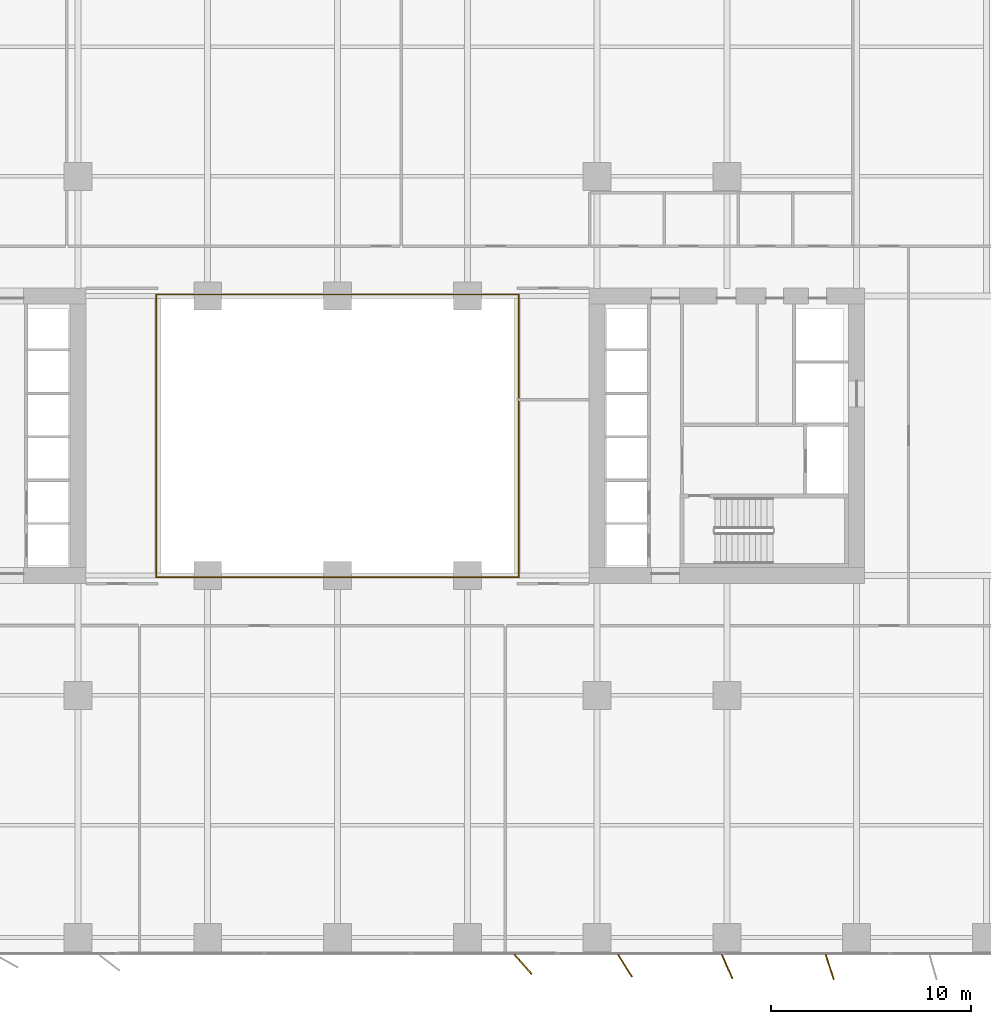
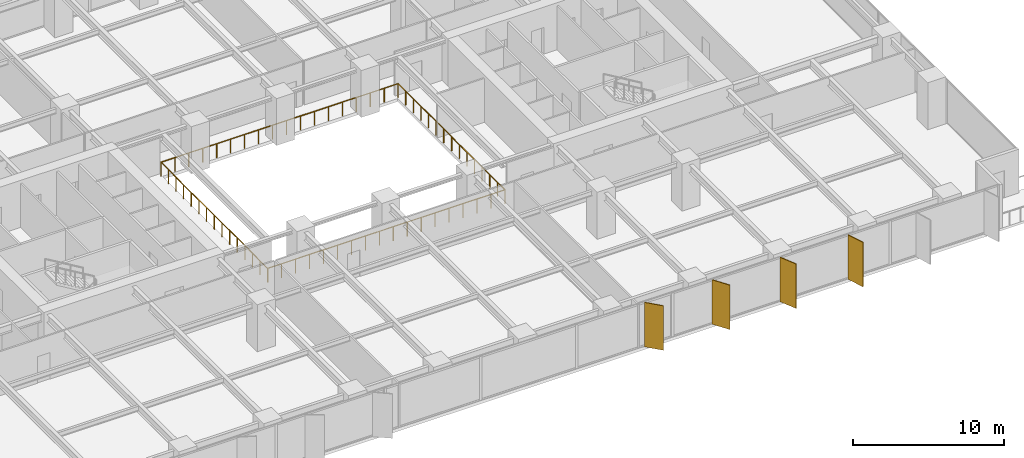
# One storey, part 18 of 20: 4 shading devices, 2 railings.
"""IFC4 building model written with IfcOpenShell, lengths in metres."""

from ifc_helpers import new_model, si_unit, direction, frame, origin, origin_2d, place, context, subcontext, project, spatial, rectangle, circle, extrude, material, layer, layer_set, type_object, element, save


model = new_model("IFC4")

# Units and contexts
model_context = context("Model", 3, precision=1e-05, world=origin(), true_north=direction((0.0, 1.0)))
body_context = subcontext(model_context, "Body", "Model", "MODEL_VIEW")
ifc_project = project(units=[si_unit("LENGTHUNIT", "METRE"), si_unit("AREAUNIT", "SQUARE_METRE"), si_unit("VOLUMEUNIT", "CUBIC_METRE"), si_unit("PLANEANGLEUNIT", "RADIAN"), si_unit("MASSUNIT", "GRAM", prefix="KILO")], contexts=[model_context])

# Site, building, storey
site_placement = place(None, origin())
site = spatial("IfcSite", under=ifc_project, at=site_placement, CompositionType="ELEMENT")
building_placement = place(site_placement, origin())
building = spatial("IfcBuilding", under=site, at=building_placement, Name="Putna Gate Headquarters", CompositionType="ELEMENT")
storey_placement = place(building_placement, frame((0.0, 0.0, 54.39990234375)))
storey = spatial("IfcBuildingStorey", under=building, at=storey_placement, Name="L12", CompositionType="ELEMENT", Elevation=54.39990234375)

# Railings
ifc_material_1 = material(Name="Anodised bronze and laminated glass atrium balustrade", Category="glass")
railing_type = type_object("IfcRailingType", Name="RAIL-ATRIUM-GUARD-1150", PredefinedType="GUARDRAIL", material=ifc_material_1)
railing_1_placement = place(storey_placement, frame((29.919921875, 25.969970703125, 0.0)))
element("IfcRailing", 1, at=railing_1_placement, inside=storey, type_object=railing_type, Name="L12 Central Atrium Glazed Balustrade South", PredefinedType="GUARDRAIL", context=body_context, shape_type="SweptSolid", body=[
    extrude(circle(Radius=0.02392578125, at=origin_2d()), frame((0.0, 0.0, 1.1259765625), z_axis=(0.0, -1.0, 0.0), x_axis=(1.0, 0.0, 0.0)), (0.0, 0.0, 1.0), 7.050048828125),
    extrude(circle(Radius=0.02392578125, at=origin_2d()), frame((0.0, -7.050048828125, 1.1259765625), z_axis=(1.0, 0.0, 0.0), x_axis=(0.0, 1.0, 0.0)), (0.0, 0.0, 1.0), 18.16015625),
    extrude(circle(Radius=0.02392578125, at=origin_2d()), frame((18.16015625, -7.050048828125, 1.1259765625), z_axis=(0.0, 1.0, 0.0), x_axis=(-1.0, 0.0, 0.0)), (0.0, 0.0, 1.0), 7.050048828125),
    extrude(circle(Radius=0.02099609375, at=origin_2d()), origin(), (0.0, 0.0, 1.0), 1.101806640625),
    extrude(circle(Radius=0.02099609375, at=origin_2d()), frame((0.0, -1.007080078125, 0.0)), (0.0, 0.0, 1.0), 1.101806640625),
    extrude(circle(Radius=0.02099609375, at=origin_2d()), frame((0.0, -2.014404296875, 0.0)), (0.0, 0.0, 1.0), 1.101806640625),
    extrude(circle(Radius=0.02099609375, at=origin_2d()), frame((0.0, -3.021484375, 0.0)), (0.0, 0.0, 1.0), 1.101806640625),
    extrude(circle(Radius=0.02099609375, at=origin_2d()), frame((0.0, -4.028564453125, 0.0)), (0.0, 0.0, 1.0), 1.101806640625),
    extrude(circle(Radius=0.02099609375, at=origin_2d()), frame((0.0, -5.03564453125, 0.0)), (0.0, 0.0, 1.0), 1.101806640625),
    extrude(circle(Radius=0.02099609375, at=origin_2d()), frame((0.0, -6.04296875, 0.0)), (0.0, 0.0, 1.0), 1.101806640625),
    extrude(circle(Radius=0.02099609375, at=origin_2d()), frame((0.0, -7.050048828125, 0.0)), (0.0, 0.0, 1.0), 1.101806640625),
    extrude(circle(Radius=0.02099609375, at=origin_2d()), frame((1.068359375, -7.050048828125, 0.0)), (0.0, 0.0, 1.0), 1.101806640625),
    extrude(circle(Radius=0.02099609375, at=origin_2d()), frame((2.136474609375, -7.050048828125, 0.0)), (0.0, 0.0, 1.0), 1.101806640625),
    extrude(circle(Radius=0.02099609375, at=origin_2d()), frame((3.204833984375, -7.050048828125, 0.0)), (0.0, 0.0, 1.0), 1.101806640625),
    extrude(circle(Radius=0.02099609375, at=origin_2d()), frame((4.27294921875, -7.050048828125, 0.0)), (0.0, 0.0, 1.0), 1.101806640625),
    extrude(circle(Radius=0.02099609375, at=origin_2d()), frame((5.34130859375, -7.050048828125, 0.0)), (0.0, 0.0, 1.0), 1.101806640625),
    extrude(circle(Radius=0.02099609375, at=origin_2d()), frame((6.409423828125, -7.050048828125, 0.0)), (0.0, 0.0, 1.0), 1.101806640625),
    extrude(circle(Radius=0.02099609375, at=origin_2d()), frame((7.477783203125, -7.050048828125, 0.0)), (0.0, 0.0, 1.0), 1.101806640625),
    extrude(circle(Radius=0.02099609375, at=origin_2d()), frame((8.5458984375, -7.050048828125, 0.0)), (0.0, 0.0, 1.0), 1.101806640625),
    extrude(circle(Radius=0.02099609375, at=origin_2d()), frame((9.6142578125, -7.050048828125, 0.0)), (0.0, 0.0, 1.0), 1.101806640625),
    extrude(circle(Radius=0.02099609375, at=origin_2d()), frame((10.682373046875, -7.050048828125, 0.0)), (0.0, 0.0, 1.0), 1.101806640625),
    extrude(circle(Radius=0.02099609375, at=origin_2d()), frame((11.750732421875, -7.050048828125, 0.0)), (0.0, 0.0, 1.0), 1.101806640625),
    extrude(circle(Radius=0.02099609375, at=origin_2d()), frame((12.81884765625, -7.050048828125, 0.0)), (0.0, 0.0, 1.0), 1.101806640625),
    extrude(circle(Radius=0.02099609375, at=origin_2d()), frame((13.88720703125, -7.050048828125, 0.0)), (0.0, 0.0, 1.0), 1.101806640625),
    extrude(circle(Radius=0.02099609375, at=origin_2d()), frame((14.955322265625, -7.050048828125, 0.0)), (0.0, 0.0, 1.0), 1.101806640625),
    extrude(circle(Radius=0.02099609375, at=origin_2d()), frame((16.023681640625, -7.050048828125, 0.0)), (0.0, 0.0, 1.0), 1.101806640625),
    extrude(circle(Radius=0.02099609375, at=origin_2d()), frame((17.091796875, -7.050048828125, 0.0)), (0.0, 0.0, 1.0), 1.101806640625),
    extrude(circle(Radius=0.02099609375, at=origin_2d()), frame((18.16015625, -7.050048828125, 0.0)), (0.0, 0.0, 1.0), 1.101806640625),
    extrude(circle(Radius=0.02099609375, at=origin_2d()), frame((18.16015625, -6.04296875, 0.0)), (0.0, 0.0, 1.0), 1.101806640625),
    extrude(circle(Radius=0.02099609375, at=origin_2d()), frame((18.16015625, -5.03564453125, 0.0)), (0.0, 0.0, 1.0), 1.101806640625),
    extrude(circle(Radius=0.02099609375, at=origin_2d()), frame((18.16015625, -4.028564453125, 0.0)), (0.0, 0.0, 1.0), 1.101806640625),
    extrude(circle(Radius=0.02099609375, at=origin_2d()), frame((18.16015625, -3.021484375, 0.0)), (0.0, 0.0, 1.0), 1.101806640625),
    extrude(circle(Radius=0.02099609375, at=origin_2d()), frame((18.16015625, -2.014404296875, 0.0)), (0.0, 0.0, 1.0), 1.101806640625),
    extrude(circle(Radius=0.02099609375, at=origin_2d()), frame((18.16015625, -1.007080078125, 0.0)), (0.0, 0.0, 1.0), 1.101806640625),
    extrude(circle(Radius=0.02099609375, at=origin_2d()), frame((18.16015625, 0.0, 0.0)), (0.0, 0.0, 1.0), 1.101806640625),
])
railing_2_placement = place(storey_placement, frame((48.080078125, 26.030029296875, 0.0)))
element("IfcRailing", 2, at=railing_2_placement, inside=storey, type_object=railing_type, Name="L12 Central Atrium Glazed Balustrade North", PredefinedType="GUARDRAIL", context=body_context, shape_type="SweptSolid", body=[
    extrude(circle(Radius=0.02392578125, at=origin_2d()), frame((0.0, 0.0, 1.1259765625), z_axis=(0.0, 1.0, 0.0), x_axis=(-1.0, 0.0, 0.0)), (0.0, 0.0, 1.0), 7.050048828125),
    extrude(circle(Radius=0.02392578125, at=origin_2d()), frame((0.0, 7.050048828125, 1.1259765625), z_axis=(-1.0, 0.0, 0.0), x_axis=(0.0, -1.0, 0.0)), (0.0, 0.0, 1.0), 18.16015625),
    extrude(circle(Radius=0.02392578125, at=origin_2d()), frame((-18.16015625, 7.050048828125, 1.1259765625), z_axis=(0.0, -1.0, 0.0), x_axis=(1.0, 0.0, 0.0)), (0.0, 0.0, 1.0), 7.050048828125),
    extrude(circle(Radius=0.02099609375, at=origin_2d()), origin(), (0.0, 0.0, 1.0), 1.101806640625),
    extrude(circle(Radius=0.02099609375, at=origin_2d()), frame((0.0, 1.007080078125, 0.0)), (0.0, 0.0, 1.0), 1.101806640625),
    extrude(circle(Radius=0.02099609375, at=origin_2d()), frame((0.0, 2.014404296875, 0.0)), (0.0, 0.0, 1.0), 1.101806640625),
    extrude(circle(Radius=0.02099609375, at=origin_2d()), frame((0.0, 3.021484375, 0.0)), (0.0, 0.0, 1.0), 1.101806640625),
    extrude(circle(Radius=0.02099609375, at=origin_2d()), frame((0.0, 4.028564453125, 0.0)), (0.0, 0.0, 1.0), 1.101806640625),
    extrude(circle(Radius=0.02099609375, at=origin_2d()), frame((0.0, 5.03564453125, 0.0)), (0.0, 0.0, 1.0), 1.101806640625),
    extrude(circle(Radius=0.02099609375, at=origin_2d()), frame((0.0, 6.04296875, 0.0)), (0.0, 0.0, 1.0), 1.101806640625),
    extrude(circle(Radius=0.02099609375, at=origin_2d()), frame((0.0, 7.050048828125, 0.0)), (0.0, 0.0, 1.0), 1.101806640625),
    extrude(circle(Radius=0.02099609375, at=origin_2d()), frame((-1.068359375, 7.050048828125, 0.0)), (0.0, 0.0, 1.0), 1.101806640625),
    extrude(circle(Radius=0.02099609375, at=origin_2d()), frame((-2.136474609375, 7.050048828125, 0.0)), (0.0, 0.0, 1.0), 1.101806640625),
    extrude(circle(Radius=0.02099609375, at=origin_2d()), frame((-3.204833984375, 7.050048828125, 0.0)), (0.0, 0.0, 1.0), 1.101806640625),
    extrude(circle(Radius=0.02099609375, at=origin_2d()), frame((-4.27294921875, 7.050048828125, 0.0)), (0.0, 0.0, 1.0), 1.101806640625),
    extrude(circle(Radius=0.02099609375, at=origin_2d()), frame((-5.34130859375, 7.050048828125, 0.0)), (0.0, 0.0, 1.0), 1.101806640625),
    extrude(circle(Radius=0.02099609375, at=origin_2d()), frame((-6.409423828125, 7.050048828125, 0.0)), (0.0, 0.0, 1.0), 1.101806640625),
    extrude(circle(Radius=0.02099609375, at=origin_2d()), frame((-7.477783203125, 7.050048828125, 0.0)), (0.0, 0.0, 1.0), 1.101806640625),
    extrude(circle(Radius=0.02099609375, at=origin_2d()), frame((-8.5458984375, 7.050048828125, 0.0)), (0.0, 0.0, 1.0), 1.101806640625),
    extrude(circle(Radius=0.02099609375, at=origin_2d()), frame((-9.6142578125, 7.050048828125, 0.0)), (0.0, 0.0, 1.0), 1.101806640625),
    extrude(circle(Radius=0.02099609375, at=origin_2d()), frame((-10.682373046875, 7.050048828125, 0.0)), (0.0, 0.0, 1.0), 1.101806640625),
    extrude(circle(Radius=0.02099609375, at=origin_2d()), frame((-11.750732421875, 7.050048828125, 0.0)), (0.0, 0.0, 1.0), 1.101806640625),
    extrude(circle(Radius=0.02099609375, at=origin_2d()), frame((-12.81884765625, 7.050048828125, 0.0)), (0.0, 0.0, 1.0), 1.101806640625),
    extrude(circle(Radius=0.02099609375, at=origin_2d()), frame((-13.88720703125, 7.050048828125, 0.0)), (0.0, 0.0, 1.0), 1.101806640625),
    extrude(circle(Radius=0.02099609375, at=origin_2d()), frame((-14.955322265625, 7.050048828125, 0.0)), (0.0, 0.0, 1.0), 1.101806640625),
    extrude(circle(Radius=0.02099609375, at=origin_2d()), frame((-16.023681640625, 7.050048828125, 0.0)), (0.0, 0.0, 1.0), 1.101806640625),
    extrude(circle(Radius=0.02099609375, at=origin_2d()), frame((-17.091796875, 7.050048828125, 0.0)), (0.0, 0.0, 1.0), 1.101806640625),
    extrude(circle(Radius=0.02099609375, at=origin_2d()), frame((-18.16015625, 7.050048828125, 0.0)), (0.0, 0.0, 1.0), 1.101806640625),
    extrude(circle(Radius=0.02099609375, at=origin_2d()), frame((-18.16015625, 6.04296875, 0.0)), (0.0, 0.0, 1.0), 1.101806640625),
    extrude(circle(Radius=0.02099609375, at=origin_2d()), frame((-18.16015625, 5.03564453125, 0.0)), (0.0, 0.0, 1.0), 1.101806640625),
    extrude(circle(Radius=0.02099609375, at=origin_2d()), frame((-18.16015625, 4.028564453125, 0.0)), (0.0, 0.0, 1.0), 1.101806640625),
    extrude(circle(Radius=0.02099609375, at=origin_2d()), frame((-18.16015625, 3.021484375, 0.0)), (0.0, 0.0, 1.0), 1.101806640625),
    extrude(circle(Radius=0.02099609375, at=origin_2d()), frame((-18.16015625, 2.014404296875, 0.0)), (0.0, 0.0, 1.0), 1.101806640625),
    extrude(circle(Radius=0.02099609375, at=origin_2d()), frame((-18.16015625, 1.007080078125, 0.0)), (0.0, 0.0, 1.0), 1.101806640625),
    extrude(circle(Radius=0.02099609375, at=origin_2d()), frame((-18.16015625, 0.0, 0.0)), (0.0, 0.0, 1.0), 1.101806640625),
])

# Shading devices
ifc_material_2 = material(Name="Anodised architectural bronze aluminium fin", Category="aluminium")
ifc_layer = layer(ifc_material_2, 0.06494140625)
ifc_layer_set = layer_set([ifc_layer], Name="Anodised architectural bronze aluminium fin")
shading_device_type = type_object("IfcShadingDeviceType", Name="SHADE-BRONZE-FIN-1320", PredefinedType="USERDEFINED", material=ifc_layer_set)
for number, where, z_axis, x_axis, name in (
    (3, (48.29150390625, -0.465576171875, -0.02001953125), (0.0, 0.0, 1.0), (0.669130606359, -0.743144825477, 0.0), "L12 Bronze Vertical Shading Fin S8"),
    (4, (53.400146484375, -0.534423828125, -0.02001953125), (0.0, 0.0, 1.0), (0.530659123936, -0.847585331506, 0.0), "L12 Bronze Vertical Shading Fin S9"),
    (5, (58.514404296875, -0.57958984375, -0.02001953125), (0.0, 0.0, 1.0), (0.400668879095, -0.916222925562, 0.0), "L12 Bronze Vertical Shading Fin S10"),
    (6, (63.65380859375, -0.602783203125, -0.02001953125), (0.0, 0.0, 1.0), (0.308684994204, -0.951164325631, 0.0), "L12 Bronze Vertical Shading Fin S11"),
):
    element("IfcShadingDevice", number, at=place(storey_placement, frame(where, z_axis=z_axis, x_axis=x_axis)), inside=storey, type_object=shading_device_type, Name=name, ObjectType="FIN", PredefinedType="USERDEFINED", context=body_context, shape_type="SweptSolid", body=[
        extrude(rectangle(XDim=1.320068359375, YDim=0.06494140625, at=origin_2d()), origin(), (0.0, 0.0, 1.0), 3.590087890625),
    ])

save(model, "model.ifc")
